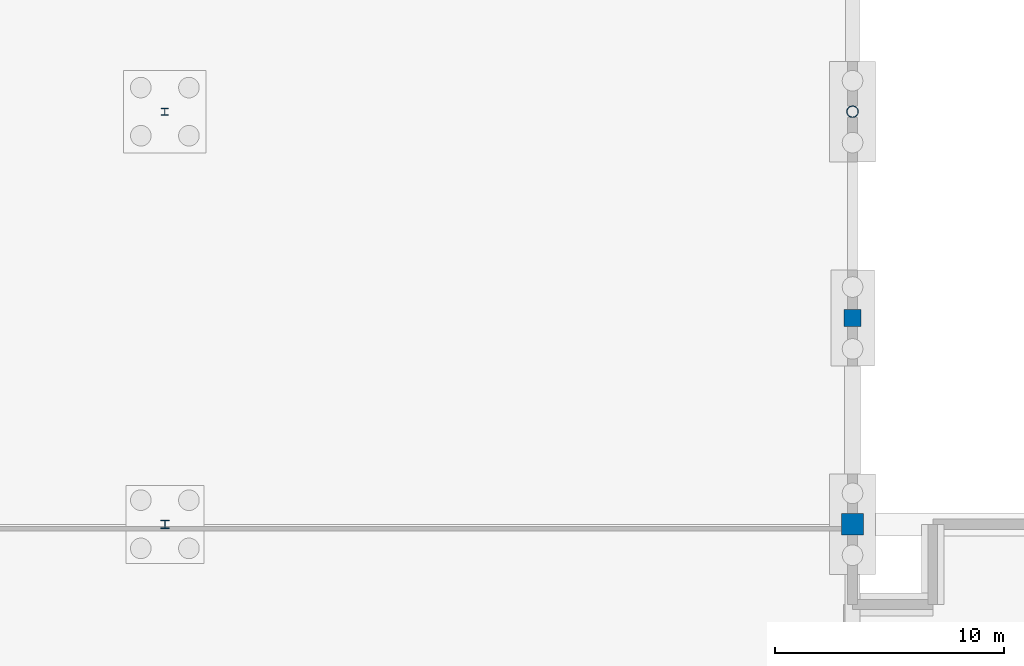
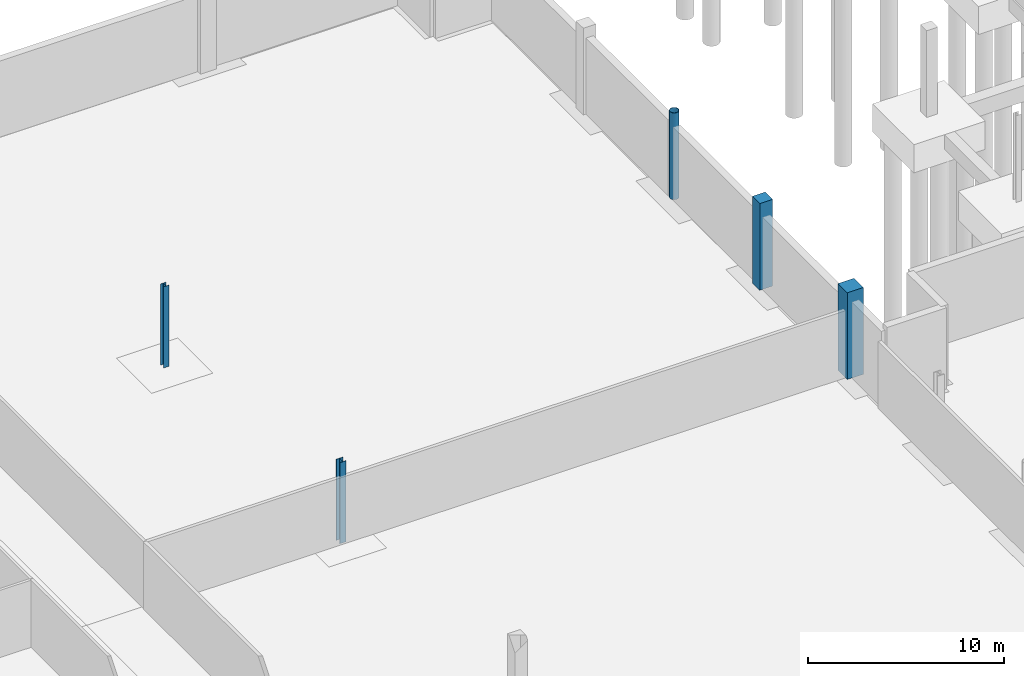
# One storey, part 24 of 58: 5 columns.
"""IFC4 building model written with IfcOpenShell, lengths in metres."""

from ifc_helpers import new_model, si_unit, direction, frame, origin, origin_2d, place, context, subcontext, project, spatial, rectangle, hollow_circle, i_section, extrude, material, material_profile, profile_set, type_object, element, save


model = new_model("IFC4")

# Units and contexts
model_context = context("Model", 3, precision=1e-05, world=origin(), true_north=direction((0.0, 1.0)))
body_context = subcontext(model_context, "Body", "Model", "MODEL_VIEW")
ifc_project = project(units=[si_unit("LENGTHUNIT", "METRE"), si_unit("AREAUNIT", "SQUARE_METRE"), si_unit("VOLUMEUNIT", "CUBIC_METRE"), si_unit("PLANEANGLEUNIT", "RADIAN"), si_unit("MASSUNIT", "GRAM", prefix="KILO")], contexts=[model_context])

# Site, building, storey
site_placement = place(None, origin())
site = spatial("IfcSite", under=ifc_project, at=site_placement, CompositionType="ELEMENT")
building_placement = place(site_placement, origin())
building = spatial("IfcBuilding", under=site, at=building_placement, Name="Qamarlyn Nura Convention Centre", CompositionType="ELEMENT")
storey_placement = place(building_placement, frame((0.0, 0.0, -5.39990234375)))
storey = spatial("IfcBuildingStorey", under=building, at=storey_placement, Name="B01", CompositionType="ELEMENT", Elevation=-5.39990234375)

# Columns
ifc_material_1 = material(Name="Pearl-white PVDF steel ASTM A500 Grade C", Category="steel")
ifc_material_profile_1 = material_profile(ifc_material_1, hollow_circle(Radius=0.25390625, WallThickness=0.02001953125, at=origin_2d()), Name="CHS508X20")
ifc_profile_set_1 = profile_set([ifc_material_profile_1], Name="Pearl-white PVDF steel ASTM A500 Grade C")
column_type_1 = type_object("IfcColumnType", Name="COL-HALL-1", PredefinedType="COLUMN", material=ifc_profile_set_1)
column_1_placement = place(storey_placement, frame((120.0, 81.0, 0.0), z_axis=(0.0, 0.0, 1.0), x_axis=(1.0, 0.0, 0.0)))
element("IfcColumn", 1, at=column_1_placement, inside=storey, type_object=column_type_1, Name="B01 column 9/K", PredefinedType="COLUMN", context=body_context, shape_type="SweptSolid", body=[
    extrude(hollow_circle(Radius=0.25390625, WallThickness=0.02001953125, at=origin_2d()), origin(), (0.0, 0.0, 1.0), 5.39990234375),
])
ifc_material_2 = material(Name="Concrete C50/60", Category="concrete")
ifc_material_profile_2 = material_profile(ifc_material_2, rectangle(XDim=0.949951171875, YDim=0.949951171875, at=origin_2d()), Name="RC 950x950")
ifc_profile_set_2 = profile_set([ifc_material_profile_2], Name="Concrete C50/60")
column_type_2 = type_object("IfcColumnType", Name="COL-HALL-2", PredefinedType="COLUMN", material=ifc_profile_set_2)
column_2_placement = place(storey_placement, frame((120.0, 63.0, 0.0), z_axis=(0.0, 0.0, 1.0), x_axis=(1.0, 0.0, 0.0)))
element("IfcColumn", 2, at=column_2_placement, inside=storey, type_object=column_type_2, Name="B01 column 9/H", PredefinedType="COLUMN", context=body_context, shape_type="SweptSolid", body=[
    extrude(rectangle(XDim=0.949951171875, YDim=0.949951171875, at=origin_2d()), origin(), (0.0, 0.0, 1.0), 5.39990234375),
])
ifc_material_profile_3 = material_profile(ifc_material_2, rectangle(XDim=0.75, YDim=0.75, at=origin_2d()), Name="RC 750x750")
ifc_profile_set_3 = profile_set([ifc_material_profile_3], Name="Concrete C50/60")
column_type_3 = type_object("IfcColumnType", Name="COL-SUB-2", PredefinedType="COLUMN", material=ifc_profile_set_3)
column_3_placement = place(storey_placement, frame((120.0, 72.0, 0.0), z_axis=(0.0, 0.0, 1.0), x_axis=(1.0, 0.0, 0.0)))
element("IfcColumn", 3, at=column_3_placement, inside=storey, type_object=column_type_3, Name="B01 column 9/J", PredefinedType="COLUMN", context=body_context, shape_type="SweptSolid", body=[
    extrude(rectangle(XDim=0.75, YDim=0.75, at=origin_2d()), origin(), (0.0, 0.0, 1.0), 5.39990234375),
])
ifc_material_3 = material(Name="Steel ASTM A992", Category="steel")
ifc_material_profile_4 = material_profile(ifc_material_3, i_section(OverallWidth=0.3740234375, OverallDepth=0.3720703125, WebThickness=0.016357421875, FlangeThickness=0.026123046875, FilletRadius=0.01611328125, at=origin_2d()), Name="W360X196")
ifc_profile_set_4 = profile_set([ifc_material_profile_4], Name="Steel ASTM A992")
column_type_4 = type_object("IfcColumnType", Name="COL-WING-2", PredefinedType="COLUMN", material=ifc_profile_set_4)
column_4_placement = place(storey_placement, frame((90.0, 63.0, 0.0), z_axis=(0.0, 0.0, 1.0), x_axis=(1.0, 0.0, 0.0)))
element("IfcColumn", 4, at=column_4_placement, inside=storey, type_object=column_type_4, Name="B01 column 7/H", PredefinedType="COLUMN", context=body_context, shape_type="SweptSolid", body=[
    extrude(i_section(OverallWidth=0.3740234375, OverallDepth=0.3720703125, WebThickness=0.016357421875, FlangeThickness=0.026123046875, FilletRadius=0.01611328125, at=origin_2d()), origin(), (0.0, 0.0, 1.0), 5.0498046875),
])
ifc_material_profile_5 = material_profile(ifc_material_3, i_section(OverallWidth=0.304931640625, OverallDepth=0.30810546875, WebThickness=0.010009765625, FlangeThickness=0.015380859375, FilletRadius=0.014892578125, at=origin_2d()), Name="W310X97")
ifc_profile_set_5 = profile_set([ifc_material_profile_5], Name="Steel ASTM A992")
column_type_5 = type_object("IfcColumnType", Name="COL-WING-4", PredefinedType="COLUMN", material=ifc_profile_set_5)
column_5_placement = place(storey_placement, frame((90.0, 81.0, 0.0), z_axis=(0.0, 0.0, 1.0), x_axis=(1.0, 0.0, 0.0)))
element("IfcColumn", 5, at=column_5_placement, inside=storey, type_object=column_type_5, Name="B01 column 7/K", PredefinedType="COLUMN", context=body_context, shape_type="SweptSolid", body=[
    extrude(i_section(OverallWidth=0.304931640625, OverallDepth=0.30810546875, WebThickness=0.010009765625, FlangeThickness=0.015380859375, FilletRadius=0.014892578125, at=origin_2d()), origin(), (0.0, 0.0, 1.0), 5.0498046875),
])

save(model, "model.ifc")
